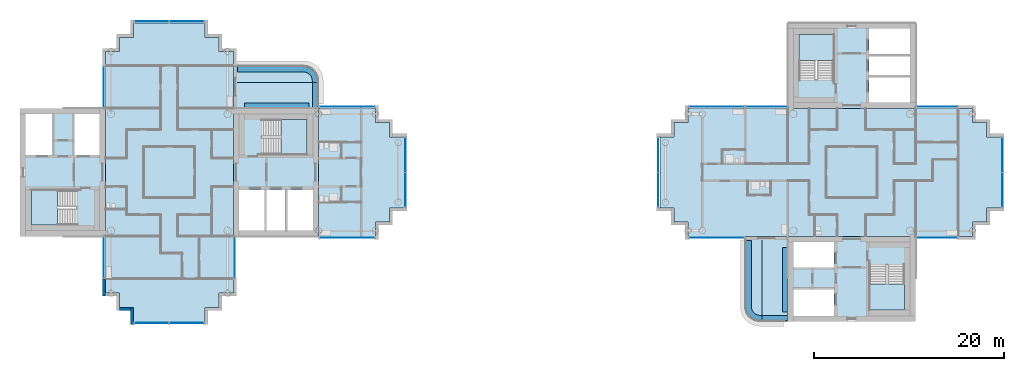
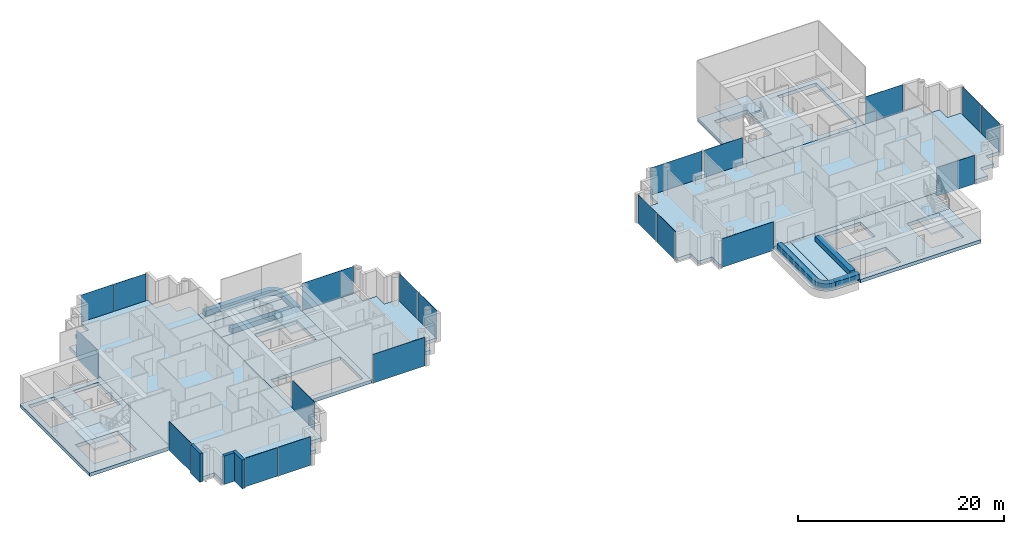
# One storey, part 5 of 18: 21 slabs, 20 plates, 3 walls, 19 elements without a shape of their own.
"""IFC4 building model written with IfcOpenShell, lengths in metres."""

from ifc_helpers import new_model, si_unit, direction, frame, frame_2d, origin, origin_2d, place, context, subcontext, project, spatial, polyline, rectangle, outline, extrude, material, layer, layer_set, type_object, element, aggregate, save


model = new_model("IFC4")

# Units and contexts
model_context = context("Model", 3, precision=1e-05, world=origin(), true_north=direction((0.0, 1.0)))
body_context = subcontext(model_context, "Body", "Model", "MODEL_VIEW")
ifc_project = project(units=[si_unit("LENGTHUNIT", "METRE"), si_unit("AREAUNIT", "SQUARE_METRE"), si_unit("VOLUMEUNIT", "CUBIC_METRE"), si_unit("PLANEANGLEUNIT", "RADIAN"), si_unit("MASSUNIT", "GRAM", prefix="KILO")], contexts=[model_context])

# Site, building, storey
site_placement = place(None, origin())
site = spatial("IfcSite", under=ifc_project, at=site_placement, CompositionType="ELEMENT")
building_placement = place(site_placement, origin())
building = spatial("IfcBuilding", under=site, at=building_placement, Name="Ipe Terrace Towers", CompositionType="ELEMENT")
storey_placement = place(building_placement, frame((0.0, 0.0, 206.199951171875)))
storey = spatial("IfcBuildingStorey", under=building, at=storey_placement, Name="L57", CompositionType="ELEMENT", Elevation=206.199951171875)

# Slabs
ifc_material_1 = material(Name="Concrete C30/37", Category="concrete")
ifc_layer_1 = layer(ifc_material_1, 0.199951171875)
ifc_layer_set_1 = layer_set([ifc_layer_1], Name="BALCONY SLAB 200")
slab_type_1 = type_object("IfcSlabType", Name="BALCONY SLAB 200", PredefinedType="FLOOR", material=ifc_layer_set_1)
slab_1_placement = place(storey_placement, frame((0.0, 0.0, -0.219970703125)))
element("IfcSlab", 1, at=slab_1_placement, inside=storey, type_object=slab_type_1, Name="balcony slab", PredefinedType="FLOOR", context=body_context, shape_type="SweptSolid", body=[
    extrude(outline(polyline([(-20.25, 6.75), (-20.25, 9.449951171875), (-29.25, 9.449951171875), (-29.25, 6.75), (-20.25, 6.75)])), origin(), (0.0, 0.0, 1.0), 0.199951171875),
])
slab_2_placement = place(storey_placement, frame((0.0, 0.0, -0.219970703125)))
element("IfcSlab", 2, at=slab_2_placement, inside=storey, type_object=slab_type_1, Name="balcony slab", PredefinedType="FLOOR", context=body_context, shape_type="SweptSolid", body=[
    extrude(outline(polyline([(-29.25, 11.25), (-29.25, 9.449951171875), (-20.25, 9.449951171875), (-20.25, 9.64990234375), (-20.263916015625, 9.85888671875), (-20.304931640625, 10.06396484375), (-20.3720703125, 10.261962890625), (-20.464111328125, 10.449951171875), (-20.5810546875, 10.6240234375), (-20.718994140625, 10.781005859375), (-20.8759765625, 10.9189453125), (-21.050048828125, 11.035888671875), (-21.238037109375, 11.1279296875), (-21.43603515625, 11.195068359375), (-21.64111328125, 11.236083984375), (-21.85009765625, 11.25), (-29.25, 11.25)])), origin(), (0.0, 0.0, 1.0), 0.199951171875),
])
slab_3_placement = place(storey_placement, frame((0.0, 0.0, -0.219970703125)))
element("IfcSlab", 3, at=slab_3_placement, inside=storey, type_object=slab_type_1, Name="balcony slab", PredefinedType="FLOOR", context=body_context, shape_type="SweptSolid", body=[
    extrude(outline(polyline([(29.25, -15.75), (29.25, -6.75), (26.550048828125, -6.75), (26.550048828125, -15.75), (29.25, -15.75)])), origin(), (0.0, 0.0, 1.0), 0.199951171875),
])
slab_4_placement = place(storey_placement, frame((0.0, 0.0, -0.219970703125)))
element("IfcSlab", 4, at=slab_4_placement, inside=storey, type_object=slab_type_1, Name="balcony slab", PredefinedType="FLOOR", context=body_context, shape_type="SweptSolid", body=[
    extrude(outline(polyline([(24.75, -6.75), (24.75, -14.14990234375), (24.763916015625, -14.35888671875), (24.804931640625, -14.56396484375), (24.8720703125, -14.761962890625), (24.964111328125, -14.949951171875), (25.0810546875, -15.1240234375), (25.218994140625, -15.281005859375), (25.3759765625, -15.4189453125), (25.550048828125, -15.535888671875), (25.738037109375, -15.6279296875), (25.93603515625, -15.695068359375), (26.14111328125, -15.736083984375), (26.35009765625, -15.75), (26.550048828125, -15.75), (26.550048828125, -6.75), (24.75, -6.75)])), origin(), (0.0, 0.0, 1.0), 0.199951171875),
])
ifc_material_2 = material(Name="Concrete C30/37", Category="concrete")
ifc_layer_2 = layer(ifc_material_2, 0.39990234375)
ifc_layer_set_2 = layer_set([ifc_layer_2], Name="CORE FLOOR SLAB 400 C30-37")
slab_type_2 = type_object("IfcSlabType", Name="CORE FLOOR SLAB 400 C30-37", PredefinedType="FLOOR", material=ifc_layer_set_2)
slab_5_placement = place(storey_placement, frame((0.0, 0.0, -0.39990234375)))
element("IfcSlab", 5, at=slab_5_placement, inside=storey, type_object=slab_type_2, Name="Core floor T1-C1", PredefinedType="FLOOR", context=body_context, shape_type="SweptSolid", body=[
    extrude(outline(polyline([(-29.25, -6.75), (-29.25, 6.75), (-20.25, 6.75), (-20.25, -6.75), (-29.25, -6.75)]), holes=[polyline([(-28.64990234375, -6.14990234375), (-20.85009765625, -6.14990234375), (-20.85009765625, -1.85009765625), (-28.64990234375, -1.85009765625), (-28.64990234375, -6.14990234375)]), polyline([(-26.199951171875, 5.550048828125), (-26.199951171875, 1.89990234375), (-21.449951171875, 1.89990234375), (-21.449951171875, 5.550048828125), (-26.199951171875, 5.550048828125)])]), origin(), (0.0, 0.0, 1.0), 0.39990234375),
])
slab_6_placement = place(storey_placement, frame((0.0, 0.0, -0.39990234375)))
element("IfcSlab", 6, at=slab_6_placement, inside=storey, type_object=slab_type_2, Name="Core floor T1-C2", PredefinedType="FLOOR", context=body_context, shape_type="SweptSolid", body=[
    extrude(outline(polyline([(-51.75, -6.75), (-51.75, 6.75), (-42.75, 6.75), (-42.75, -6.75), (-51.75, -6.75)]), holes=[polyline([(-45.800048828125, -1.89990234375), (-50.550048828125, -1.89990234375), (-50.550048828125, -5.550048828125), (-45.800048828125, -5.550048828125), (-45.800048828125, -1.89990234375)]), polyline([(-48.25, 1.85009765625), (-48.25, 6.14990234375), (-51.14990234375, 6.14990234375), (-51.14990234375, 1.85009765625), (-48.25, 1.85009765625)]), polyline([(-43.35009765625, 1.85009765625), (-43.35009765625, 6.14990234375), (-46.14990234375, 6.14990234375), (-46.14990234375, 1.85009765625), (-43.35009765625, 1.85009765625)])]), origin(), (0.0, 0.0, 1.0), 0.39990234375),
])
slab_7_placement = place(storey_placement, frame((0.0, 0.0, -0.39990234375)))
element("IfcSlab", 7, at=slab_7_placement, inside=storey, type_object=slab_type_2, Name="Core floor T2-C1", PredefinedType="FLOOR", context=body_context, shape_type="SweptSolid", body=[
    extrude(outline(polyline([(29.25, 6.75), (29.25, 15.75), (42.75, 15.75), (42.75, 6.75), (29.25, 6.75)]), holes=[polyline([(42.14990234375, 7.35009765625), (42.14990234375, 15.14990234375), (37.85009765625, 15.14990234375), (37.85009765625, 7.35009765625), (42.14990234375, 7.35009765625)]), polyline([(30.449951171875, 9.800048828125), (34.10009765625, 9.800048828125), (34.10009765625, 14.550048828125), (30.449951171875, 14.550048828125), (30.449951171875, 9.800048828125)])]), origin(), (0.0, 0.0, 1.0), 0.39990234375),
])
slab_8_placement = place(storey_placement, frame((0.0, 0.0, -0.39990234375)))
element("IfcSlab", 8, at=slab_8_placement, inside=storey, type_object=slab_type_2, Name="Core floor T2-C2", PredefinedType="FLOOR", context=body_context, shape_type="SweptSolid", body=[
    extrude(outline(polyline([(29.25, -15.75), (29.25, -6.75), (42.75, -6.75), (42.75, -15.75), (29.25, -15.75)]), holes=[polyline([(29.85009765625, -12.25), (29.85009765625, -15.14990234375), (34.14990234375, -15.14990234375), (34.14990234375, -12.25), (29.85009765625, -12.25)]), polyline([(41.550048828125, -9.800048828125), (37.89990234375, -9.800048828125), (37.89990234375, -14.550048828125), (41.550048828125, -14.550048828125), (41.550048828125, -9.800048828125)]), polyline([(34.14990234375, -7.35009765625), (29.85009765625, -7.35009765625), (29.85009765625, -10.14990234375), (34.14990234375, -10.14990234375), (34.14990234375, -7.35009765625)])]), origin(), (0.0, 0.0, 1.0), 0.39990234375),
])

# Stair, slab
ifc_material_3 = material(Name="Concrete C30/37", Category="concrete")
stair_type = type_object("IfcStairType", Name="Protected exit stair", PredefinedType="HALF_TURN_STAIR", material=ifc_material_3)
stair_1_placement = place(storey_placement, origin())
stair_1 = element("IfcStair", 9, at=stair_1_placement, inside=storey, type_object=stair_type, Name="L57 Exit stair T1-C1", PredefinedType="HALF_TURN_STAIR")
ifc_material_4 = material(Name="Concrete C30/37", Category="concrete")
ifc_layer_3 = layer(ifc_material_4, 0.199951171875)
ifc_layer_set_3 = layer_set([ifc_layer_3], Name="Exit stair landing 200")
slab_type_3 = type_object("IfcSlabType", Name="Exit stair landing 200", PredefinedType="LANDING", material=ifc_layer_set_3)
slab_9_placement = place(storey_placement, frame((0.0, 0.0, 1.5)))
slab_9 = element("IfcSlab", 10, at=slab_9_placement, type_object=slab_type_3, Name="T1-ST1 landing 1", PredefinedType="LANDING", context=body_context, shape_type="SweptSolid", body=[
    extrude(outline(polyline([(-24.219970703125, 1.89990234375), (-21.449951171875, 1.89990234375), (-21.449951171875, 5.550048828125), (-24.219970703125, 5.550048828125), (-24.219970703125, 1.89990234375)])), origin(), (0.0, 0.0, 1.0), 0.199951171875),
])
aggregate(stair_1, [slab_9])

stair_2_placement = place(storey_placement, origin())
stair_2 = element("IfcStair", 11, at=stair_2_placement, inside=storey, type_object=stair_type, Name="L57 Exit stair T1-C2", PredefinedType="HALF_TURN_STAIR")
slab_10_placement = place(storey_placement, frame((0.0, 0.0, 1.5)))
slab_10 = element("IfcSlab", 12, at=slab_10_placement, type_object=slab_type_3, Name="T1-ST2 landing 1", PredefinedType="LANDING", context=body_context, shape_type="SweptSolid", body=[
    extrude(outline(polyline([(-47.780029296875, -1.89990234375), (-50.550048828125, -1.89990234375), (-50.550048828125, -5.550048828125), (-47.780029296875, -5.550048828125), (-47.780029296875, -1.89990234375)])), origin(), (0.0, 0.0, 1.0), 0.199951171875),
])
aggregate(stair_2, [slab_10])

stair_3_placement = place(storey_placement, origin())
stair_3 = element("IfcStair", 13, at=stair_3_placement, inside=storey, type_object=stair_type, Name="L57 Exit stair T2-C1", PredefinedType="HALF_TURN_STAIR")
slab_11_placement = place(storey_placement, frame((0.0, 0.0, 1.5)))
slab_11 = element("IfcSlab", 14, at=slab_11_placement, type_object=slab_type_3, Name="T2-ST1 landing 1", PredefinedType="LANDING", context=body_context, shape_type="SweptSolid", body=[
    extrude(outline(polyline([(34.10009765625, 11.780029296875), (34.10009765625, 14.550048828125), (30.449951171875, 14.550048828125), (30.449951171875, 11.780029296875), (34.10009765625, 11.780029296875)])), origin(), (0.0, 0.0, 1.0), 0.199951171875),
])
aggregate(stair_3, [slab_11])

stair_4_placement = place(storey_placement, origin())
stair_4 = element("IfcStair", 15, at=stair_4_placement, inside=storey, type_object=stair_type, Name="L57 Exit stair T2-C2", PredefinedType="HALF_TURN_STAIR")
slab_12_placement = place(storey_placement, frame((0.0, 0.0, 1.5)))
slab_12 = element("IfcSlab", 16, at=slab_12_placement, type_object=slab_type_3, Name="T2-ST2 landing 1", PredefinedType="LANDING", context=body_context, shape_type="SweptSolid", body=[
    extrude(outline(polyline([(37.89990234375, -11.780029296875), (37.89990234375, -14.550048828125), (41.550048828125, -14.550048828125), (41.550048828125, -11.780029296875), (37.89990234375, -11.780029296875)])), origin(), (0.0, 0.0, 1.0), 0.199951171875),
])
aggregate(stair_4, [slab_12])

# Slabs
ifc_material_5 = material(Name="Concrete C40/50", Category="concrete")
ifc_layer_4 = layer(ifc_material_5, 0.39990234375)
ifc_layer_set_4 = layer_set([ifc_layer_4], Name="FLAT PLATE SLAB 400 C40-50")
slab_type_4 = type_object("IfcSlabType", Name="FLAT PLATE SLAB 400 C40-50", PredefinedType="FLOOR", material=ifc_layer_set_4)
slab_13_placement = place(storey_placement, frame((0.0, 0.0, -0.39990234375)))
element("IfcSlab", 17, at=slab_13_placement, inside=storey, type_object=slab_type_4, Name="Slab T1-FS-Z41", PredefinedType="FLOOR", context=body_context, shape_type="SweptSolid", body=[
    extrude(outline(polyline([(-30.75, -12.75), (-30.75, -14.25), (-32.25, -14.25), (-32.25, -15.75), (-39.75, -15.75), (-39.75, -14.25), (-41.25, -14.25), (-41.25, -12.75), (-42.75, -12.75), (-42.75, -6.75), (-42.75, 6.75), (-42.75, 12.75), (-41.25, 12.75), (-41.25, 14.25), (-39.75, 14.25), (-39.75, 15.75), (-32.25, 15.75), (-32.25, 14.25), (-30.75, 14.25), (-30.75, 12.75), (-29.25, 12.75), (-29.25, 6.75), (-29.25, -6.75), (-29.25, -12.75), (-30.75, -12.75)])), origin(), (0.0, 0.0, 1.0), 0.39990234375),
])
slab_14_placement = place(storey_placement, frame((0.0, 0.0, -0.39990234375)))
element("IfcSlab", 18, at=slab_14_placement, inside=storey, type_object=slab_type_4, Name="Slab T1-FS-Z42", PredefinedType="FLOOR", context=body_context, shape_type="SweptSolid", body=[
    extrude(outline(polyline([(-14.25, 5.25), (-12.75, 5.25), (-12.75, 3.75), (-11.25, 3.75), (-11.25, -3.75), (-12.75, -3.75), (-12.75, -5.25), (-14.25, -5.25), (-14.25, -6.75), (-20.25, -6.75), (-20.25, 6.75), (-14.25, 6.75), (-14.25, 5.25)])), origin(), (0.0, 0.0, 1.0), 0.39990234375),
])
slab_15_placement = place(storey_placement, frame((0.0, 0.0, -0.39990234375)))
element("IfcSlab", 19, at=slab_15_placement, inside=storey, type_object=slab_type_4, Name="Slab T2-FS-Z41", PredefinedType="FLOOR", context=body_context, shape_type="SweptSolid", body=[
    extrude(outline(polyline([(48.75, 5.25), (50.25, 5.25), (50.25, 3.75), (51.75, 3.75), (51.75, -3.75), (50.25, -3.75), (50.25, -5.25), (48.75, -5.25), (48.75, -6.75), (42.75, -6.75), (29.25, -6.75), (18.75, -6.75), (18.75, -5.25), (17.25, -5.25), (17.25, -3.75), (15.75, -3.75), (15.75, 3.75), (17.25, 3.75), (17.25, 5.25), (18.75, 5.25), (18.75, 6.75), (29.25, 6.75), (42.75, 6.75), (48.75, 6.75), (48.75, 5.25)])), origin(), (0.0, 0.0, 1.0), 0.39990234375),
])
ifc_material_6 = material(Name="Concrete C30/37", Category="concrete")
ifc_layer_5 = layer(ifc_material_6, 0.60009765625)
ifc_layer_set_5 = layer_set([ifc_layer_5], Name="PLANTER TROUGH 550 x 600")
slab_type_5 = type_object("IfcSlabType", Name="PLANTER TROUGH 550 x 600", PredefinedType="USERDEFINED", material=ifc_layer_set_5)
slab_16_placement = place(storey_placement, frame((0.0, 0.0, -0.02001953125)))
element("IfcSlab", 20, at=slab_16_placement, inside=storey, type_object=slab_type_5, Name="planter", ObjectType="PLANTER", PredefinedType="USERDEFINED", context=body_context, shape_type="SweptSolid", body=[
    extrude(outline(polyline([(-20.360107421875, 6.75), (-20.360107421875, 9.449951171875), (-20.909912109375, 9.449951171875), (-20.909912109375, 6.75), (-20.360107421875, 6.75)])), origin(), (0.0, 0.0, 1.0), 0.60009765625),
])
slab_17_placement = place(storey_placement, frame((0.0, 0.0, -0.02001953125)))
element("IfcSlab", 21, at=slab_17_placement, inside=storey, type_object=slab_type_5, Name="planter", ObjectType="PLANTER", PredefinedType="USERDEFINED", context=body_context, shape_type="SweptSolid", body=[
    extrude(outline(polyline([(-20.943115234375, 9.89306640625), (-20.9189453125, 9.77294921875), (-20.909912109375, 9.6279296875), (-20.909912109375, 9.449951171875), (-20.360107421875, 9.449951171875), (-20.360107421875, 9.636962890625), (-20.361083984375, 9.655029296875), (-20.3720703125, 9.825927734375), (-20.3759765625, 9.862060546875), (-20.406982421875, 10.01806640625), (-20.4169921875, 10.052978515625), (-20.468017578125, 10.202880859375), (-20.48193359375, 10.236083984375), (-20.552001953125, 10.37890625), (-20.570068359375, 10.409912109375), (-20.657958984375, 10.5419921875), (-20.679931640625, 10.570068359375), (-20.784912109375, 10.68994140625), (-20.81005859375, 10.715087890625), (-20.929931640625, 10.820068359375), (-20.9580078125, 10.842041015625), (-21.090087890625, 10.929931640625), (-21.12109375, 10.947998046875), (-21.263916015625, 11.01806640625), (-21.297119140625, 11.031982421875), (-21.447021484375, 11.0830078125), (-21.48193359375, 11.093017578125), (-21.637939453125, 11.1240234375), (-21.674072265625, 11.1279296875), (-21.844970703125, 11.138916015625), (-21.863037109375, 11.139892578125), (-28.800048828125, 11.139892578125), (-28.800048828125, 10.590087890625), (-21.8720703125, 10.590087890625), (-21.72705078125, 10.5810546875), (-21.60693359375, 10.556884765625), (-21.490966796875, 10.51708984375), (-21.381103515625, 10.462890625), (-21.279052734375, 10.39501953125), (-21.18603515625, 10.31396484375), (-21.10498046875, 10.220947265625), (-21.037109375, 10.118896484375), (-20.98291015625, 10.009033203125), (-20.943115234375, 9.89306640625)])), origin(), (0.0, 0.0, 1.0), 0.60009765625),
])
slab_18_placement = place(storey_placement, frame((0.0, 0.0, -0.02001953125)))
element("IfcSlab", 22, at=slab_18_placement, inside=storey, type_object=slab_type_5, Name="planter", ObjectType="PLANTER", PredefinedType="USERDEFINED", context=body_context, shape_type="SweptSolid", body=[
    extrude(outline(polyline([(-28.050048828125, 6.75), (-21.25, 6.75), (-21.25, 7.300048828125), (-28.050048828125, 7.300048828125), (-28.050048828125, 6.75)])), origin(), (0.0, 0.0, 1.0), 0.60009765625),
])
slab_19_placement = place(storey_placement, frame((0.0, 0.0, -0.02001953125)))
element("IfcSlab", 23, at=slab_19_placement, inside=storey, type_object=slab_type_5, Name="planter", ObjectType="PLANTER", PredefinedType="USERDEFINED", context=body_context, shape_type="SweptSolid", body=[
    extrude(outline(polyline([(29.25, -15.639892578125), (29.25, -15.090087890625), (26.550048828125, -15.090087890625), (26.550048828125, -15.639892578125), (29.25, -15.639892578125)])), origin(), (0.0, 0.0, 1.0), 0.60009765625),
])
slab_20_placement = place(storey_placement, frame((0.0, 0.0, -0.02001953125)))
element("IfcSlab", 24, at=slab_20_placement, inside=storey, type_object=slab_type_5, Name="planter", ObjectType="PLANTER", PredefinedType="USERDEFINED", context=body_context, shape_type="SweptSolid", body=[
    extrude(outline(polyline([(26.10693359375, -15.056884765625), (25.990966796875, -15.01708984375), (25.881103515625, -14.962890625), (25.779052734375, -14.89501953125), (25.68603515625, -14.81396484375), (25.60498046875, -14.720947265625), (25.537109375, -14.618896484375), (25.48291015625, -14.509033203125), (25.443115234375, -14.39306640625), (25.4189453125, -14.27294921875), (25.409912109375, -14.1279296875), (25.409912109375, -7.199951171875), (24.860107421875, -7.199951171875), (24.860107421875, -14.136962890625), (24.861083984375, -14.155029296875), (24.8720703125, -14.325927734375), (24.8759765625, -14.362060546875), (24.906982421875, -14.51806640625), (24.9169921875, -14.552978515625), (24.968017578125, -14.702880859375), (24.98193359375, -14.736083984375), (25.052001953125, -14.87890625), (25.070068359375, -14.909912109375), (25.157958984375, -15.0419921875), (25.179931640625, -15.070068359375), (25.284912109375, -15.18994140625), (25.31005859375, -15.215087890625), (25.429931640625, -15.320068359375), (25.4580078125, -15.342041015625), (25.590087890625, -15.429931640625), (25.62109375, -15.447998046875), (25.763916015625, -15.51806640625), (25.797119140625, -15.531982421875), (25.947021484375, -15.5830078125), (25.98193359375, -15.593017578125), (26.137939453125, -15.6240234375), (26.174072265625, -15.6279296875), (26.344970703125, -15.638916015625), (26.363037109375, -15.639892578125), (26.550048828125, -15.639892578125), (26.550048828125, -15.090087890625), (26.3720703125, -15.090087890625), (26.22705078125, -15.0810546875), (26.10693359375, -15.056884765625)])), origin(), (0.0, 0.0, 1.0), 0.60009765625),
])
slab_21_placement = place(storey_placement, frame((0.0, 0.0, -0.02001953125)))
element("IfcSlab", 25, at=slab_21_placement, inside=storey, type_object=slab_type_5, Name="planter", ObjectType="PLANTER", PredefinedType="USERDEFINED", context=body_context, shape_type="SweptSolid", body=[
    extrude(outline(polyline([(29.25, -7.949951171875), (28.699951171875, -7.949951171875), (28.699951171875, -14.75), (29.25, -14.75), (29.25, -7.949951171875)])), origin(), (0.0, 0.0, 1.0), 0.60009765625),
])

# Curtain wall, plate
ifc_material_7 = material(Name="Aluminium alloy 6063-T6", Category="aluminium")
ifc_layer_6 = layer(ifc_material_7, 0.320068359375)
ifc_layer_set_6 = layer_set([ifc_layer_6], Name="TOWER UNITISED CURTAIN WALL")
curtain_wall_type = type_object("IfcCurtainWallType", Name="TOWER UNITISED CURTAIN WALL", PredefinedType="NOTDEFINED", material=ifc_layer_set_6)
curtain_wall_1_placement = place(storey_placement, origin())
curtain_wall_1 = element("IfcCurtainWall", 26, at=curtain_wall_1_placement, inside=storey, type_object=curtain_wall_type, Name="T1-CW-L57-02a curtain wall", PredefinedType="NOTDEFINED")
ifc_material_8 = material(Name="Glass, clear laminated", Category="glass")
ifc_layer_7 = layer(ifc_material_8, 0.031982421875)
ifc_layer_set_7 = layer_set([ifc_layer_7], Name="TOWER UNITISED GLASS PANEL 32")
plate_type = type_object("IfcPlateType", Name="TOWER UNITISED GLASS PANEL 32", PredefinedType="CURTAIN_PANEL", material=ifc_layer_set_7)
plate_1_placement = place(storey_placement, frame((-42.909912109375, -9.0, -0.2998046875), z_axis=(0.0, 0.0, 1.0), x_axis=(0.0, -1.0, 0.0)))
plate_1 = element("IfcPlate", 27, at=plate_1_placement, type_object=plate_type, Name="T1-CW-L57-02a panel 1", PredefinedType="CURTAIN_PANEL", context=body_context, shape_type="SweptSolid", body=[
    extrude(rectangle(XDim=4.260009765625, YDim=0.031982421875, at=origin_2d()), origin(), (0.0, 0.0, 1.0), 3.39990234375),
])
aggregate(curtain_wall_1, [plate_1])

# Curtain wall, plates
curtain_wall_2_placement = place(storey_placement, origin())
curtain_wall_2 = element("IfcCurtainWall", 28, at=curtain_wall_2_placement, inside=storey, type_object=curtain_wall_type, Name="T1-CW-L57-08a curtain wall", PredefinedType="NOTDEFINED")
plate_2_placement = place(storey_placement, frame((-37.831298828125, -15.909912109375, -0.2998046875), z_axis=(0.0, 0.0, 1.0), x_axis=(1.0, 0.0, 0.0)))
plate_2 = element("IfcPlate", 29, at=plate_2_placement, type_object=plate_type, Name="T1-CW-L57-08a panel 1", PredefinedType="CURTAIN_PANEL", context=body_context, shape_type="SweptSolid", body=[
    extrude(rectangle(XDim=3.597412109375, YDim=0.031982421875, at=origin_2d()), origin(), (0.0, 0.0, 1.0), 3.39990234375),
])
plate_3_placement = place(storey_placement, frame((-34.168701171875, -15.909912109375, -0.2998046875), z_axis=(0.0, 0.0, 1.0), x_axis=(1.0, 0.0, 0.0)))
plate_3 = element("IfcPlate", 30, at=plate_3_placement, type_object=plate_type, Name="T1-CW-L57-08a panel 2", PredefinedType="CURTAIN_PANEL", context=body_context, shape_type="SweptSolid", body=[
    extrude(rectangle(XDim=3.597412109375, YDim=0.031982421875, at=origin_2d()), origin(), (0.0, 0.0, 1.0), 3.39990234375),
])
aggregate(curtain_wall_2, [plate_2, plate_3])

# Curtain wall, plate
curtain_wall_3_placement = place(storey_placement, origin())
curtain_wall_3 = element("IfcCurtainWall", 31, at=curtain_wall_3_placement, inside=storey, type_object=curtain_wall_type, Name="T1-CW-L57-14a curtain wall", PredefinedType="NOTDEFINED")
plate_4_placement = place(storey_placement, frame((-29.090087890625, -9.0, -0.2998046875), z_axis=(0.0, 0.0, 1.0), x_axis=(0.0, 1.0, 0.0)))
plate_4 = element("IfcPlate", 32, at=plate_4_placement, type_object=plate_type, Name="T1-CW-L57-14a panel 1", PredefinedType="CURTAIN_PANEL", context=body_context, shape_type="SweptSolid", body=[
    extrude(rectangle(XDim=4.260009765625, YDim=0.031982421875, at=origin_2d()), origin(), (0.0, 0.0, 1.0), 3.39990234375),
])
aggregate(curtain_wall_3, [plate_4])

curtain_wall_4_placement = place(storey_placement, origin())
curtain_wall_4 = element("IfcCurtainWall", 33, at=curtain_wall_4_placement, inside=storey, type_object=curtain_wall_type, Name="T1-CW-L57-16b curtain wall", PredefinedType="NOTDEFINED")
plate_5_placement = place(storey_placement, frame((-17.24951171875, -6.909912109375, -0.2998046875), z_axis=(0.0, 0.0, 1.0), x_axis=(1.0, 0.0, 0.0)))
plate_5 = element("IfcPlate", 34, at=plate_5_placement, type_object=plate_type, Name="T1-CW-L57-16b panel 1", PredefinedType="CURTAIN_PANEL", context=body_context, shape_type="SweptSolid", body=[
    extrude(rectangle(XDim=5.759033203125, YDim=0.031982421875, at=origin_2d()), origin(), (0.0, 0.0, 1.0), 3.39990234375),
])
aggregate(curtain_wall_4, [plate_5])

# Curtain wall, plates
curtain_wall_5_placement = place(storey_placement, origin())
curtain_wall_5 = element("IfcCurtainWall", 35, at=curtain_wall_5_placement, inside=storey, type_object=curtain_wall_type, Name="T1-CW-L57-21a curtain wall", PredefinedType="NOTDEFINED")
plate_6_placement = place(storey_placement, frame((-11.090087890625, -1.831298828125, -0.2998046875), z_axis=(0.0, 0.0, 1.0), x_axis=(0.0, 1.0, 0.0)))
plate_6 = element("IfcPlate", 36, at=plate_6_placement, type_object=plate_type, Name="T1-CW-L57-21a panel 1", PredefinedType="CURTAIN_PANEL", context=body_context, shape_type="SweptSolid", body=[
    extrude(rectangle(XDim=3.597412109375, YDim=0.031982421875, at=origin_2d()), origin(), (0.0, 0.0, 1.0), 3.39990234375),
])
plate_7_placement = place(storey_placement, frame((-11.090087890625, 1.831298828125, -0.2998046875), z_axis=(0.0, 0.0, 1.0), x_axis=(0.0, 1.0, 0.0)))
plate_7 = element("IfcPlate", 37, at=plate_7_placement, type_object=plate_type, Name="T1-CW-L57-21a panel 2", PredefinedType="CURTAIN_PANEL", context=body_context, shape_type="SweptSolid", body=[
    extrude(rectangle(XDim=3.597412109375, YDim=0.031982421875, at=origin_2d()), origin(), (0.0, 0.0, 1.0), 3.39990234375),
])
aggregate(curtain_wall_5, [plate_6, plate_7])

# Curtain wall, plate
curtain_wall_6_placement = place(storey_placement, origin())
curtain_wall_6 = element("IfcCurtainWall", 38, at=curtain_wall_6_placement, inside=storey, type_object=curtain_wall_type, Name="T1-CW-L57-26a curtain wall", PredefinedType="NOTDEFINED")
plate_8_placement = place(storey_placement, frame((-17.24951171875, 6.909912109375, -0.2998046875), z_axis=(0.0, 0.0, 1.0), x_axis=(-1.0, 0.0, 0.0)))
plate_8 = element("IfcPlate", 39, at=plate_8_placement, type_object=plate_type, Name="T1-CW-L57-26a panel 1", PredefinedType="CURTAIN_PANEL", context=body_context, shape_type="SweptSolid", body=[
    extrude(rectangle(XDim=5.759033203125, YDim=0.031982421875, at=origin_2d()), origin(), (0.0, 0.0, 1.0), 3.39990234375),
])
aggregate(curtain_wall_6, [plate_8])

# Curtain wall, plates
curtain_wall_7_placement = place(storey_placement, origin())
curtain_wall_7 = element("IfcCurtainWall", 40, at=curtain_wall_7_placement, inside=storey, type_object=curtain_wall_type, Name="T1-CW-L57-34a curtain wall", PredefinedType="NOTDEFINED")
plate_9_placement = place(storey_placement, frame((-34.168701171875, 15.909912109375, -0.2998046875), z_axis=(0.0, 0.0, 1.0), x_axis=(-1.0, 0.0, 0.0)))
plate_9 = element("IfcPlate", 41, at=plate_9_placement, type_object=plate_type, Name="T1-CW-L57-34a panel 1", PredefinedType="CURTAIN_PANEL", context=body_context, shape_type="SweptSolid", body=[
    extrude(rectangle(XDim=3.597412109375, YDim=0.031982421875, at=origin_2d()), origin(), (0.0, 0.0, 1.0), 3.39990234375),
])
plate_10_placement = place(storey_placement, frame((-37.831298828125, 15.909912109375, -0.2998046875), z_axis=(0.0, 0.0, 1.0), x_axis=(-1.0, 0.0, 0.0)))
plate_10 = element("IfcPlate", 42, at=plate_10_placement, type_object=plate_type, Name="T1-CW-L57-34a panel 2", PredefinedType="CURTAIN_PANEL", context=body_context, shape_type="SweptSolid", body=[
    extrude(rectangle(XDim=3.597412109375, YDim=0.031982421875, at=origin_2d()), origin(), (0.0, 0.0, 1.0), 3.39990234375),
])
aggregate(curtain_wall_7, [plate_9, plate_10])

# Curtain wall, plate
curtain_wall_8_placement = place(storey_placement, origin())
curtain_wall_8 = element("IfcCurtainWall", 43, at=curtain_wall_8_placement, inside=storey, type_object=curtain_wall_type, Name="T1-CW-L57-40a curtain wall", PredefinedType="NOTDEFINED")
plate_11_placement = place(storey_placement, frame((-42.909912109375, 9.0, -0.2998046875), z_axis=(0.0, 0.0, 1.0), x_axis=(0.0, -1.0, 0.0)))
plate_11 = element("IfcPlate", 44, at=plate_11_placement, type_object=plate_type, Name="T1-CW-L57-40a panel 1", PredefinedType="CURTAIN_PANEL", context=body_context, shape_type="SweptSolid", body=[
    extrude(rectangle(XDim=4.260009765625, YDim=0.031982421875, at=origin_2d()), origin(), (0.0, 0.0, 1.0), 3.39990234375),
])
aggregate(curtain_wall_8, [plate_11])

curtain_wall_9_placement = place(storey_placement, origin())
curtain_wall_9 = element("IfcCurtainWall", 45, at=curtain_wall_9_placement, inside=storey, type_object=curtain_wall_type, Name="T2-CW-L57-02a curtain wall", PredefinedType="NOTDEFINED")
plate_12_placement = place(storey_placement, frame((45.0, -6.909912109375, -0.2998046875), z_axis=(0.0, 0.0, 1.0), x_axis=(1.0, 0.0, 0.0)))
plate_12 = element("IfcPlate", 46, at=plate_12_placement, type_object=plate_type, Name="T2-CW-L57-02a panel 1", PredefinedType="CURTAIN_PANEL", context=body_context, shape_type="SweptSolid", body=[
    extrude(rectangle(XDim=4.260009765625, YDim=0.031982421875, at=origin_2d()), origin(), (0.0, 0.0, 1.0), 3.39990234375),
])
aggregate(curtain_wall_9, [plate_12])

# Curtain wall, plates
curtain_wall_10_placement = place(storey_placement, origin())
curtain_wall_10 = element("IfcCurtainWall", 47, at=curtain_wall_10_placement, inside=storey, type_object=curtain_wall_type, Name="T2-CW-L57-08a curtain wall", PredefinedType="NOTDEFINED")
plate_13_placement = place(storey_placement, frame((51.909912109375, -1.831298828125, -0.2998046875), z_axis=(0.0, 0.0, 1.0), x_axis=(0.0, 1.0, 0.0)))
plate_13 = element("IfcPlate", 48, at=plate_13_placement, type_object=plate_type, Name="T2-CW-L57-08a panel 1", PredefinedType="CURTAIN_PANEL", context=body_context, shape_type="SweptSolid", body=[
    extrude(rectangle(XDim=3.597412109375, YDim=0.031982421875, at=origin_2d()), origin(), (0.0, 0.0, 1.0), 3.39990234375),
])
plate_14_placement = place(storey_placement, frame((51.909912109375, 1.831298828125, -0.2998046875), z_axis=(0.0, 0.0, 1.0), x_axis=(0.0, 1.0, 0.0)))
plate_14 = element("IfcPlate", 49, at=plate_14_placement, type_object=plate_type, Name="T2-CW-L57-08a panel 2", PredefinedType="CURTAIN_PANEL", context=body_context, shape_type="SweptSolid", body=[
    extrude(rectangle(XDim=3.597412109375, YDim=0.031982421875, at=origin_2d()), origin(), (0.0, 0.0, 1.0), 3.39990234375),
])
aggregate(curtain_wall_10, [plate_13, plate_14])

# Curtain wall, plate
curtain_wall_11_placement = place(storey_placement, origin())
curtain_wall_11 = element("IfcCurtainWall", 50, at=curtain_wall_11_placement, inside=storey, type_object=curtain_wall_type, Name="T2-CW-L57-14a curtain wall", PredefinedType="NOTDEFINED")
plate_15_placement = place(storey_placement, frame((45.0, 6.909912109375, -0.2998046875), z_axis=(0.0, 0.0, 1.0), x_axis=(-1.0, 0.0, 0.0)))
plate_15 = element("IfcPlate", 51, at=plate_15_placement, type_object=plate_type, Name="T2-CW-L57-14a panel 1", PredefinedType="CURTAIN_PANEL", context=body_context, shape_type="SweptSolid", body=[
    extrude(rectangle(XDim=4.260009765625, YDim=0.031982421875, at=origin_2d()), origin(), (0.0, 0.0, 1.0), 3.39990234375),
])
aggregate(curtain_wall_11, [plate_15])

curtain_wall_12_placement = place(storey_placement, origin())
curtain_wall_12 = element("IfcCurtainWall", 52, at=curtain_wall_12_placement, inside=storey, type_object=curtain_wall_type, Name="T2-CW-L57-20a curtain wall", PredefinedType="NOTDEFINED")
plate_16_placement = place(storey_placement, frame((27.0, 6.909912109375, -0.2998046875), z_axis=(0.0, 0.0, 1.0), x_axis=(-1.0, 0.0, 0.0)))
plate_16 = element("IfcPlate", 53, at=plate_16_placement, type_object=plate_type, Name="T2-CW-L57-20a panel 1", PredefinedType="CURTAIN_PANEL", context=body_context, shape_type="SweptSolid", body=[
    extrude(rectangle(XDim=4.260009765625, YDim=0.031982421875, at=origin_2d()), origin(), (0.0, 0.0, 1.0), 3.39990234375),
])
aggregate(curtain_wall_12, [plate_16])

curtain_wall_13_placement = place(storey_placement, origin())
curtain_wall_13 = element("IfcCurtainWall", 54, at=curtain_wall_13_placement, inside=storey, type_object=curtain_wall_type, Name="T2-CW-L57-21a curtain wall", PredefinedType="NOTDEFINED")
plate_17_placement = place(storey_placement, frame((21.75, 6.909912109375, -0.2998046875), z_axis=(0.0, 0.0, 1.0), x_axis=(-1.0, 0.0, 0.0)))
plate_17 = element("IfcPlate", 55, at=plate_17_placement, type_object=plate_type, Name="T2-CW-L57-21a panel 1", PredefinedType="CURTAIN_PANEL", context=body_context, shape_type="SweptSolid", body=[
    extrude(rectangle(XDim=5.760009765625, YDim=0.031982421875, at=origin_2d()), origin(), (0.0, 0.0, 1.0), 3.39990234375),
])
aggregate(curtain_wall_13, [plate_17])

# Curtain wall, plates
curtain_wall_14_placement = place(storey_placement, origin())
curtain_wall_14 = element("IfcCurtainWall", 56, at=curtain_wall_14_placement, inside=storey, type_object=curtain_wall_type, Name="T2-CW-L57-26a curtain wall", PredefinedType="NOTDEFINED")
plate_18_placement = place(storey_placement, frame((15.590087890625, 1.831298828125, -0.2998046875), z_axis=(0.0, 0.0, 1.0), x_axis=(0.0, -1.0, 0.0)))
plate_18 = element("IfcPlate", 57, at=plate_18_placement, type_object=plate_type, Name="T2-CW-L57-26a panel 1", PredefinedType="CURTAIN_PANEL", context=body_context, shape_type="SweptSolid", body=[
    extrude(rectangle(XDim=3.597412109375, YDim=0.031982421875, at=origin_2d()), origin(), (0.0, 0.0, 1.0), 3.39990234375),
])
plate_19_placement = place(storey_placement, frame((15.590087890625, -1.831298828125, -0.2998046875), z_axis=(0.0, 0.0, 1.0), x_axis=(0.0, -1.0, 0.0)))
plate_19 = element("IfcPlate", 58, at=plate_19_placement, type_object=plate_type, Name="T2-CW-L57-26a panel 2", PredefinedType="CURTAIN_PANEL", context=body_context, shape_type="SweptSolid", body=[
    extrude(rectangle(XDim=3.597412109375, YDim=0.031982421875, at=origin_2d()), origin(), (0.0, 0.0, 1.0), 3.39990234375),
])
aggregate(curtain_wall_14, [plate_18, plate_19])

# Curtain wall, plate
curtain_wall_15_placement = place(storey_placement, origin())
curtain_wall_15 = element("IfcCurtainWall", 59, at=curtain_wall_15_placement, inside=storey, type_object=curtain_wall_type, Name="T2-CW-L57-31a curtain wall", PredefinedType="NOTDEFINED")
plate_20_placement = place(storey_placement, frame((21.75, -6.909912109375, -0.2998046875), z_axis=(0.0, 0.0, 1.0), x_axis=(1.0, 0.0, 0.0)))
plate_20 = element("IfcPlate", 60, at=plate_20_placement, type_object=plate_type, Name="T2-CW-L57-31a panel 1", PredefinedType="CURTAIN_PANEL", context=body_context, shape_type="SweptSolid", body=[
    extrude(rectangle(XDim=5.760009765625, YDim=0.031982421875, at=origin_2d()), origin(), (0.0, 0.0, 1.0), 3.39990234375),
])
aggregate(curtain_wall_15, [plate_20])

# Walls
ifc_material_9 = material(Name="Concrete C40/50 with buff precast cladding", Category="concrete")
ifc_layer_8 = layer(ifc_material_9, 0.320068359375)
ifc_layer_set_8 = layer_set([ifc_layer_8], Name="BUFF CLADDING WALL 320")
wall_type = type_object("IfcWallType", Name="BUFF CLADDING WALL 320", PredefinedType="STANDARD", material=ifc_layer_set_8)
wall_1_placement = place(storey_placement, frame((-42.909912109375, -11.25, -0.300048828125), z_axis=(0.0, 0.0, 1.0), x_axis=(0.0, -1.0, 0.0)))
element("IfcWall", 61, at=wall_1_placement, inside=storey, type_object=wall_type, Name="T1-W-L57-03a wall", PredefinedType="STANDARD", context=body_context, shape_type="SweptSolid", body=[
    extrude(rectangle(XDim=1.820068359375, YDim=0.320068359375, at=frame_2d((0.91015625, 0.0))), origin(), (0.0, 0.0, 1.0), 3.400146484375),
])
wall_2_placement = place(storey_placement, frame((-41.25, -14.409912109375, -0.300048828125), z_axis=(0.0, 0.0, 1.0), x_axis=(1.0, 0.0, 0.0)))
element("IfcWall", 62, at=wall_2_placement, inside=storey, type_object=wall_type, Name="T1-W-L57-06a wall", PredefinedType="STANDARD", context=body_context, shape_type="SweptSolid", body=[
    extrude(rectangle(XDim=1.179931640625, YDim=0.320068359375, at=frame_2d((0.58984375, 0.0))), origin(), (0.0, 0.0, 1.0), 3.400146484375),
])
wall_3_placement = place(storey_placement, frame((-39.909912109375, -14.25, -0.300048828125), z_axis=(0.0, 0.0, 1.0), x_axis=(0.0, -1.0, 0.0)))
element("IfcWall", 63, at=wall_3_placement, inside=storey, type_object=wall_type, Name="T1-W-L57-07a wall", PredefinedType="STANDARD", context=body_context, shape_type="SweptSolid", body=[
    extrude(rectangle(XDim=1.820068359375, YDim=0.320068359375, at=frame_2d((0.91015625, 0.0))), origin(), (0.0, 0.0, 1.0), 3.400146484375),
])

save(model, "model.ifc")
